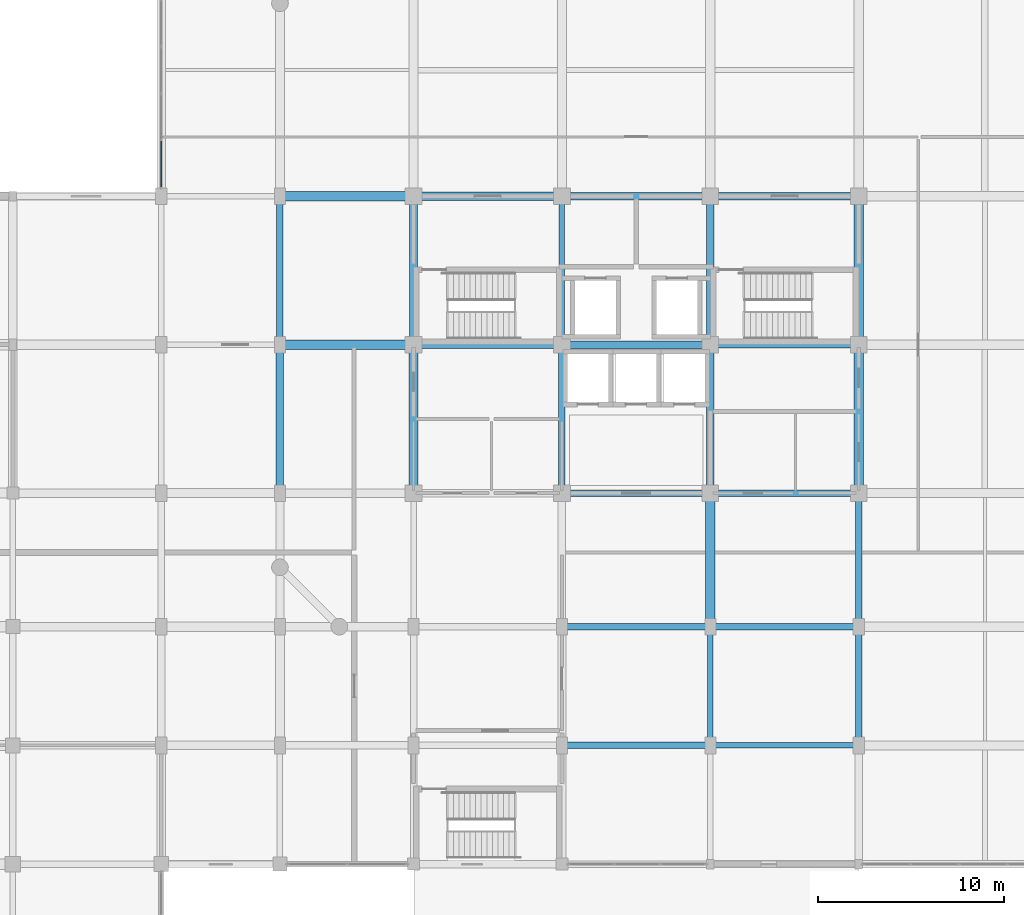
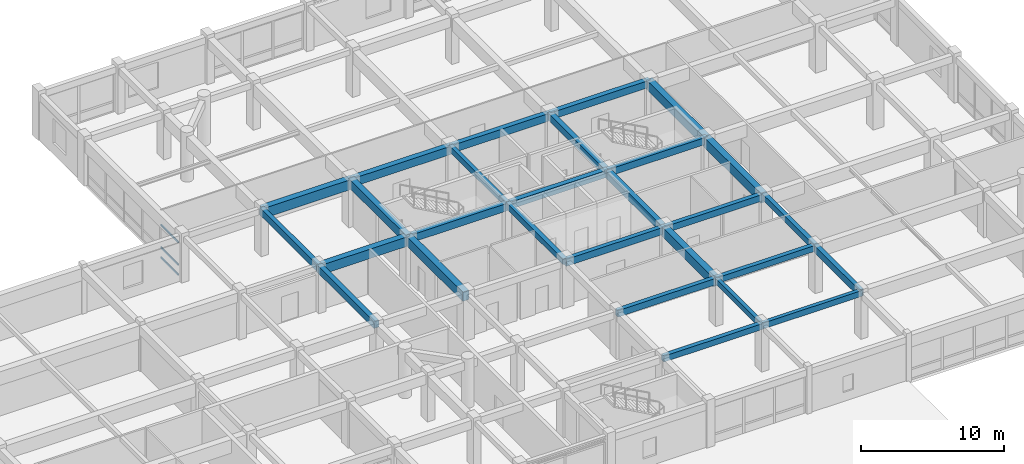
# One storey, part 13 of 35: 28 beams, 3 members, 1 element without a shape of its own.
"""IFC4 building model written with IfcOpenShell, lengths in metres."""

from ifc_helpers import new_model, si_unit, direction, frame, origin, origin_2d, place, context, subcontext, project, spatial, rectangle, extrude, material, material_profile, profile_set, type_object, element, aggregate, save


model = new_model("IFC4")

# Units and contexts
model_context = context("Model", 3, precision=1e-05, world=origin(), true_north=direction((0.0, 1.0)))
body_context = subcontext(model_context, "Body", "Model", "MODEL_VIEW")
ifc_project = project(units=[si_unit("LENGTHUNIT", "METRE"), si_unit("AREAUNIT", "SQUARE_METRE"), si_unit("VOLUMEUNIT", "CUBIC_METRE"), si_unit("PLANEANGLEUNIT", "RADIAN"), si_unit("MASSUNIT", "GRAM", prefix="KILO")], contexts=[model_context])

# Site, building, storey
site_placement = place(None, origin())
site = spatial("IfcSite", under=ifc_project, at=site_placement, CompositionType="ELEMENT")
building_placement = place(site_placement, origin())
building = spatial("IfcBuilding", under=site, at=building_placement, Name="Vellmiral Cinema and Media Centre", CompositionType="ELEMENT")
storey_placement = place(building_placement, frame((0.0, 0.0, 15.60009765625)))
storey = spatial("IfcBuildingStorey", under=building, at=storey_placement, Name="L03", CompositionType="ELEMENT", Elevation=15.60009765625)

# Beams
ifc_material_1 = material(Name="Concrete C40/50", Category="concrete")
ifc_material_profile_1 = material_profile(ifc_material_1, rectangle(XDim=0.300048828125, YDim=0.449951171875, at=origin_2d()), Name="RC 300x450")
ifc_profile_set_1 = profile_set([ifc_material_profile_1], Name="Concrete C40/50")
beam_type_1 = type_object("IfcBeamType", Name="BM-RC-300x450", PredefinedType="BEAM", material=ifc_profile_set_1)
beam_1_placement = place(storey_placement, frame((140.0, 65.60009765625, 3.669921875), z_axis=(0.0, 1.0, 0.0), x_axis=(-1.0, 0.0, 0.0)))
element("IfcBeam", 1, at=beam_1_placement, inside=storey, type_object=beam_type_1, Name="Grid Beam L03-Y126", PredefinedType="BEAM", context=body_context, shape_type="SweptSolid", body=[
    extrude(rectangle(XDim=0.300048828125, YDim=0.449951171875, at=origin_2d()), origin(), (0.0, 0.0, 1.0), 6.39990234375),
])
ifc_material_2 = material(Name="Concrete C40/50", Category="concrete")
ifc_material_profile_2 = material_profile(ifc_material_2, rectangle(XDim=0.300048828125, YDim=0.5, at=origin_2d()), Name="RC 300x500")
ifc_profile_set_2 = profile_set([ifc_material_profile_2], Name="Concrete C40/50")
beam_type_2 = type_object("IfcBeamType", Name="BM-RC-300x500", PredefinedType="BEAM", material=ifc_profile_set_2)
for number, where, z_axis, x_axis, name in (
    (2, (140.0, 65.60009765625, 3.64501953125), (1.0, 0.0, 0.0), (0.0, 1.0, 0.0), "Grid Beam L03-X023"),
    (3, (132.0, 87.199951171875, 3.64501953125), (0.0, 1.0, 0.0), (-1.0, 0.0, 0.0), "Grid Beam L03-Y122"),
):
    element("IfcBeam", number, at=place(storey_placement, frame(where, z_axis=z_axis, x_axis=x_axis)), inside=storey, type_object=beam_type_2, Name=name, PredefinedType="BEAM", context=body_context, shape_type="SweptSolid", body=[
        extrude(rectangle(XDim=0.300048828125, YDim=0.5, at=origin_2d()), origin(), (0.0, 0.0, 1.0), 8.0),
    ])
ifc_material_3 = material(Name="Concrete C40/50", Category="concrete")
ifc_material_profile_3 = material_profile(ifc_material_3, rectangle(XDim=0.35009765625, YDim=0.5, at=origin_2d()), Name="RC 350x500")
ifc_profile_set_3 = profile_set([ifc_material_profile_3], Name="Concrete C40/50")
beam_type_3 = type_object("IfcBeamType", Name="BM-RC-350x500", PredefinedType="BEAM", material=ifc_profile_set_3)
for number, where, z_axis, x_axis, name in (
    (4, (132.0, 65.60009765625, 3.64501953125), (1.0, 0.0, 0.0), (0.0, 1.0, 0.0), "Grid Beam L03-X022"),
    (5, (140.0, 72.0, 3.64501953125), (1.0, 0.0, 0.0), (0.0, 1.0, 0.0), "Grid Beam L03-X033"),
    (6, (132.0, 79.199951171875, 3.64501953125), (0.0, 1.0, 0.0), (-1.0, 0.0, 0.0), "Grid Beam L03-Y121"),
):
    element("IfcBeam", number, at=place(storey_placement, frame(where, z_axis=z_axis, x_axis=x_axis)), inside=storey, type_object=beam_type_3, Name=name, PredefinedType="BEAM", context=body_context, shape_type="SweptSolid", body=[
        extrude(rectangle(XDim=0.35009765625, YDim=0.5, at=origin_2d()), origin(), (0.0, 0.0, 1.0), 8.0),
    ])
beam_2_placement = place(storey_placement, frame((148.0, 72.0, 3.64501953125), z_axis=(0.0, 1.0, 0.0), x_axis=(-1.0, 0.0, 0.0)))
element("IfcBeam", 7, at=beam_2_placement, inside=storey, type_object=beam_type_3, Name="Grid Beam L03-Y134", PredefinedType="BEAM", context=body_context, shape_type="SweptSolid", body=[
    extrude(rectangle(XDim=0.35009765625, YDim=0.5, at=origin_2d()), origin(), (0.0, 0.0, 1.0), 7.199951171875),
])
ifc_material_4 = material(Name="Concrete C40/50", Category="concrete")
ifc_material_profile_4 = material_profile(ifc_material_4, rectangle(XDim=0.35009765625, YDim=0.550048828125, at=origin_2d()), Name="RC 350x550")
ifc_profile_set_4 = profile_set([ifc_material_profile_4], Name="Concrete C40/50")
beam_type_4 = type_object("IfcBeamType", Name="BM-RC-350x550", PredefinedType="BEAM", material=ifc_profile_set_4)
for number, where, z_axis, x_axis, name in (
    (8, (132.0, 72.0, 3.619873046875), (1.0, 0.0, 0.0), (0.0, 1.0, 0.0), "Grid Beam L03-X032"),
    (9, (140.0, 79.199951171875, 3.619873046875), (1.0, 0.0, 0.0), (0.0, 1.0, 0.0), "Grid Beam L03-X043"),
):
    element("IfcBeam", number, at=place(storey_placement, frame(where, z_axis=z_axis, x_axis=x_axis)), inside=storey, type_object=beam_type_4, Name=name, PredefinedType="BEAM", context=body_context, shape_type="SweptSolid", body=[
        extrude(rectangle(XDim=0.35009765625, YDim=0.550048828125, at=origin_2d()), origin(), (0.0, 0.0, 1.0), 8.0),
    ])
ifc_material_5 = material(Name="Concrete C40/50", Category="concrete")
ifc_material_profile_5 = material_profile(ifc_material_5, rectangle(XDim=0.35009765625, YDim=0.60009765625, at=origin_2d()), Name="RC 350x600")
ifc_profile_set_5 = profile_set([ifc_material_profile_5], Name="Concrete C40/50")
beam_type_5 = type_object("IfcBeamType", Name="BM-RC-350x600", PredefinedType="BEAM", material=ifc_profile_set_5)
for number, where, z_axis, x_axis, name in (
    (10, (132.0, 79.199951171875, 3.594970703125), (1.0, 0.0, 0.0), (0.0, 1.0, 0.0), "Grid Beam L03-X042"),
    (11, (140.0, 87.199951171875, 3.594970703125), (1.0, 0.0, 0.0), (0.0, 1.0, 0.0), "Grid Beam L03-X053"),
    (12, (116.800048828125, 87.199951171875, 3.594970703125), (0.0, 1.0, 0.0), (-1.0, 0.0, 0.0), "Grid Beam L03-Y108"),
):
    element("IfcBeam", number, at=place(storey_placement, frame(where, z_axis=z_axis, x_axis=x_axis)), inside=storey, type_object=beam_type_5, Name=name, PredefinedType="BEAM", context=body_context, shape_type="SweptSolid", body=[
        extrude(rectangle(XDim=0.35009765625, YDim=0.60009765625, at=origin_2d()), origin(), (0.0, 0.0, 1.0), 8.0),
    ])
beam_3_placement = place(storey_placement, frame((148.0, 65.60009765625, 3.594970703125), z_axis=(0.0, 1.0, 0.0), x_axis=(-1.0, 0.0, 0.0)))
element("IfcBeam", 13, at=beam_3_placement, inside=storey, type_object=beam_type_5, Name="Grid Beam L03-Y133", PredefinedType="BEAM", context=body_context, shape_type="SweptSolid", body=[
    extrude(rectangle(XDim=0.35009765625, YDim=0.60009765625, at=origin_2d()), origin(), (0.0, 0.0, 1.0), 6.39990234375),
])
ifc_material_6 = material(Name="Concrete C40/50", Category="concrete")
ifc_material_profile_6 = material_profile(ifc_material_6, rectangle(XDim=0.39990234375, YDim=0.60009765625, at=origin_2d()), Name="RC 400x600")
ifc_profile_set_6 = profile_set([ifc_material_profile_6], Name="Concrete C40/50")
beam_type_6 = type_object("IfcBeamType", Name="BM-RC-400x600", PredefinedType="BEAM", material=ifc_profile_set_6)
for number, where, z_axis, x_axis, name in (
    (14, (132.0, 87.199951171875, 3.594970703125), (1.0, 0.0, 0.0), (0.0, 1.0, 0.0), "Grid Beam L03-X052"),
    (15, (140.0, 95.199951171875, 3.594970703125), (1.0, 0.0, 0.0), (0.0, 1.0, 0.0), "Grid Beam L03-X063"),
    (16, (116.800048828125, 79.199951171875, 3.594970703125), (0.0, 1.0, 0.0), (-1.0, 0.0, 0.0), "Grid Beam L03-Y107"),
    (17, (140.0, 87.199951171875, 3.594970703125), (0.0, 1.0, 0.0), (-1.0, 0.0, 0.0), "Grid Beam L03-Y129"),
):
    element("IfcBeam", number, at=place(storey_placement, frame(where, z_axis=z_axis, x_axis=x_axis)), inside=storey, type_object=beam_type_6, Name=name, PredefinedType="BEAM", context=body_context, shape_type="SweptSolid", body=[
        extrude(rectangle(XDim=0.39990234375, YDim=0.60009765625, at=origin_2d()), origin(), (0.0, 0.0, 1.0), 8.0),
    ])
ifc_material_7 = material(Name="Concrete C40/50", Category="concrete")
ifc_material_profile_7 = material_profile(ifc_material_7, rectangle(XDim=0.39990234375, YDim=0.64990234375, at=origin_2d()), Name="RC 400x650")
ifc_profile_set_7 = profile_set([ifc_material_profile_7], Name="Concrete C40/50")
beam_type_7 = type_object("IfcBeamType", Name="BM-RC-400x650", PredefinedType="BEAM", material=ifc_profile_set_7)
for number, where, z_axis, x_axis, name in (
    (18, (124.0, 87.199951171875, 3.56982421875), (1.0, 0.0, 0.0), (0.0, 1.0, 0.0), "Grid Beam L03-X051"),
    (19, (132.0, 95.199951171875, 3.56982421875), (1.0, 0.0, 0.0), (0.0, 1.0, 0.0), "Grid Beam L03-X062"),
    (20, (140.0, 79.199951171875, 3.56982421875), (0.0, 1.0, 0.0), (-1.0, 0.0, 0.0), "Grid Beam L03-Y128"),
):
    element("IfcBeam", number, at=place(storey_placement, frame(where, z_axis=z_axis, x_axis=x_axis)), inside=storey, type_object=beam_type_7, Name=name, PredefinedType="BEAM", context=body_context, shape_type="SweptSolid", body=[
        extrude(rectangle(XDim=0.39990234375, YDim=0.64990234375, at=origin_2d()), origin(), (0.0, 0.0, 1.0), 8.0),
    ])
ifc_material_8 = material(Name="Concrete C40/50", Category="concrete")
ifc_material_profile_8 = material_profile(ifc_material_8, rectangle(XDim=0.449951171875, YDim=0.699951171875, at=origin_2d()), Name="RC 450x700")
ifc_profile_set_8 = profile_set([ifc_material_profile_8], Name="Concrete C40/50")
beam_type_8 = type_object("IfcBeamType", Name="BM-RC-450x700", PredefinedType="BEAM", material=ifc_profile_set_8)
beam_4_placement = place(storey_placement, frame((124.0, 95.199951171875, 3.544921875), z_axis=(1.0, 0.0, 0.0), x_axis=(0.0, 1.0, 0.0)))
element("IfcBeam", 21, at=beam_4_placement, inside=storey, type_object=beam_type_8, Name="Grid Beam L03-X061", PredefinedType="BEAM", context=body_context, shape_type="SweptSolid", body=[
    extrude(rectangle(XDim=0.449951171875, YDim=0.699951171875, at=origin_2d()), origin(), (0.0, 0.0, 1.0), 8.0),
])
ifc_material_9 = material(Name="Concrete C40/50", Category="concrete")
ifc_material_profile_9 = material_profile(ifc_material_9, rectangle(XDim=0.449951171875, YDim=0.75, at=origin_2d()), Name="RC 450x750")
ifc_profile_set_9 = profile_set([ifc_material_profile_9], Name="Concrete C40/50")
beam_type_9 = type_object("IfcBeamType", Name="BM-RC-450x750", PredefinedType="BEAM", material=ifc_profile_set_9)
beam_5_placement = place(storey_placement, frame((124.0, 87.199951171875, 3.52001953125), z_axis=(0.0, 1.0, 0.0), x_axis=(-1.0, 0.0, 0.0)))
element("IfcBeam", 22, at=beam_5_placement, inside=storey, type_object=beam_type_9, Name="Grid Beam L03-Y115", PredefinedType="BEAM", context=body_context, shape_type="SweptSolid", body=[
    extrude(rectangle(XDim=0.449951171875, YDim=0.75, at=origin_2d()), origin(), (0.0, 0.0, 1.0), 8.0),
])
ifc_material_10 = material(Name="Concrete C40/50", Category="concrete")
ifc_material_profile_10 = material_profile(ifc_material_10, rectangle(XDim=0.5, YDim=0.800048828125, at=origin_2d()), Name="RC 500x800")
ifc_profile_set_10 = profile_set([ifc_material_profile_10], Name="Concrete C40/50")
beam_type_10 = type_object("IfcBeamType", Name="BM-RC-500x800", PredefinedType="BEAM", material=ifc_profile_set_10)
beam_6_placement = place(storey_placement, frame((116.800048828125, 87.199951171875, 3.494873046875), z_axis=(1.0, 0.0, 0.0), x_axis=(0.0, 1.0, 0.0)))
element("IfcBeam", 23, at=beam_6_placement, inside=storey, type_object=beam_type_10, Name="Grid Beam L03-X050", PredefinedType="BEAM", context=body_context, shape_type="SweptSolid", body=[
    extrude(rectangle(XDim=0.5, YDim=0.800048828125, at=origin_2d()), origin(), (0.0, 0.0, 1.0), 7.199951171875),
])
beam_7_placement = place(storey_placement, frame((124.0, 79.199951171875, 3.494873046875), z_axis=(0.0, 1.0, 0.0), x_axis=(-1.0, 0.0, 0.0)))
element("IfcBeam", 24, at=beam_7_placement, inside=storey, type_object=beam_type_10, Name="Grid Beam L03-Y114", PredefinedType="BEAM", context=body_context, shape_type="SweptSolid", body=[
    extrude(rectangle(XDim=0.5, YDim=0.800048828125, at=origin_2d()), origin(), (0.0, 0.0, 1.0), 8.0),
])
beam_8_placement = place(storey_placement, frame((140.0, 72.0, 3.494873046875), z_axis=(0.0, 1.0, 0.0), x_axis=(-1.0, 0.0, 0.0)))
element("IfcBeam", 25, at=beam_8_placement, inside=storey, type_object=beam_type_10, Name="Grid Beam L03-Y127", PredefinedType="BEAM", context=body_context, shape_type="SweptSolid", body=[
    extrude(rectangle(XDim=0.5, YDim=0.800048828125, at=origin_2d()), origin(), (0.0, 0.0, 1.0), 7.199951171875),
])
beam_9_placement = place(storey_placement, frame((148.0, 87.199951171875, 3.494873046875), z_axis=(0.0, 1.0, 0.0), x_axis=(-1.0, 0.0, 0.0)))
element("IfcBeam", 26, at=beam_9_placement, inside=storey, type_object=beam_type_10, Name="Grid Beam L03-Y136", PredefinedType="BEAM", context=body_context, shape_type="SweptSolid", body=[
    extrude(rectangle(XDim=0.5, YDim=0.800048828125, at=origin_2d()), origin(), (0.0, 0.0, 1.0), 8.0),
])
ifc_material_11 = material(Name="Concrete C40/50", Category="concrete")
ifc_material_profile_11 = material_profile(ifc_material_11, rectangle(XDim=0.5, YDim=0.85009765625, at=origin_2d()), Name="RC 500x850")
ifc_profile_set_11 = profile_set([ifc_material_profile_11], Name="Concrete C40/50")
beam_type_11 = type_object("IfcBeamType", Name="BM-RC-500x850", PredefinedType="BEAM", material=ifc_profile_set_11)
beam_10_placement = place(storey_placement, frame((116.800048828125, 95.199951171875, 3.469970703125), z_axis=(1.0, 0.0, 0.0), x_axis=(0.0, 1.0, 0.0)))
element("IfcBeam", 27, at=beam_10_placement, inside=storey, type_object=beam_type_11, Name="Grid Beam L03-X060", PredefinedType="BEAM", context=body_context, shape_type="SweptSolid", body=[
    extrude(rectangle(XDim=0.5, YDim=0.85009765625, at=origin_2d()), origin(), (0.0, 0.0, 1.0), 7.199951171875),
])
beam_11_placement = place(storey_placement, frame((148.0, 79.199951171875, 3.469970703125), z_axis=(0.0, 1.0, 0.0), x_axis=(-1.0, 0.0, 0.0)))
element("IfcBeam", 28, at=beam_11_placement, inside=storey, type_object=beam_type_11, Name="Grid Beam L03-Y135", PredefinedType="BEAM", context=body_context, shape_type="SweptSolid", body=[
    extrude(rectangle(XDim=0.5, YDim=0.85009765625, at=origin_2d()), origin(), (0.0, 0.0, 1.0), 8.0),
])

# Curtain wall, members
ifc_material_12 = material(Name="Thermally Broken Aluminium and Triple Glazing", Category="aluminium")
curtain_wall_type = type_object("IfcCurtainWallType", Name="CW-LIB-BAY", PredefinedType="USERDEFINED", material=ifc_material_12)
curtain_wall_placement = place(storey_placement, origin())
curtain_wall = element("IfcCurtainWall", 29, at=curtain_wall_placement, inside=storey, type_object=curtain_wall_type, Name="Curtain Wall L03-B036", ObjectType="STICK CURTAIN WALL", PredefinedType="USERDEFINED")
ifc_material_13 = material(Name="Thermally Broken Anodised Aluminium", Category="aluminium")
ifc_material_profile_12 = material_profile(ifc_material_13, rectangle(XDim=0.070068359375, YDim=0.14990234375, at=origin_2d()), Name="MULL 70x150")
ifc_profile_set_12 = profile_set([ifc_material_profile_12], Name="Thermally Broken Anodised Aluminium")
member_type = type_object("IfcMemberType", Name="CWT-70x150", PredefinedType="USERDEFINED", material=ifc_profile_set_12)
member_1_placement = place(storey_placement, frame((110.39990234375, 98.155029296875, 0.034912109375), z_axis=(0.0, -1.0, 0.0), x_axis=(1.0, 0.0, 0.0)))
member_1 = element("IfcMember", 30, at=member_1_placement, type_object=member_type, Name="CW-03 transom 5.1", ObjectType="TRANSOM", PredefinedType="USERDEFINED", context=body_context, shape_type="SweptSolid", body=[
    extrude(rectangle(XDim=0.070068359375, YDim=0.14990234375, at=origin_2d()), origin(), (0.0, 0.0, 1.0), 2.43505859375),
])
member_2_placement = place(storey_placement, frame((110.39990234375, 98.155029296875, 0.89990234375), z_axis=(0.0, -1.0, 0.0), x_axis=(1.0, 0.0, 0.0)))
member_2 = element("IfcMember", 31, at=member_2_placement, type_object=member_type, Name="CW-03 transom 5.2", ObjectType="TRANSOM", PredefinedType="USERDEFINED", context=body_context, shape_type="SweptSolid", body=[
    extrude(rectangle(XDim=0.070068359375, YDim=0.14990234375, at=origin_2d()), origin(), (0.0, 0.0, 1.0), 2.43505859375),
])
member_3_placement = place(storey_placement, frame((110.39990234375, 98.155029296875, 2.7998046875), z_axis=(0.0, -1.0, 0.0), x_axis=(1.0, 0.0, 0.0)))
member_3 = element("IfcMember", 32, at=member_3_placement, type_object=member_type, Name="CW-03 transom 5.3", ObjectType="TRANSOM", PredefinedType="USERDEFINED", context=body_context, shape_type="SweptSolid", body=[
    extrude(rectangle(XDim=0.070068359375, YDim=0.14990234375, at=origin_2d()), origin(), (0.0, 0.0, 1.0), 2.43505859375),
])
aggregate(curtain_wall, [member_1, member_2, member_3])

save(model, "model.ifc")
